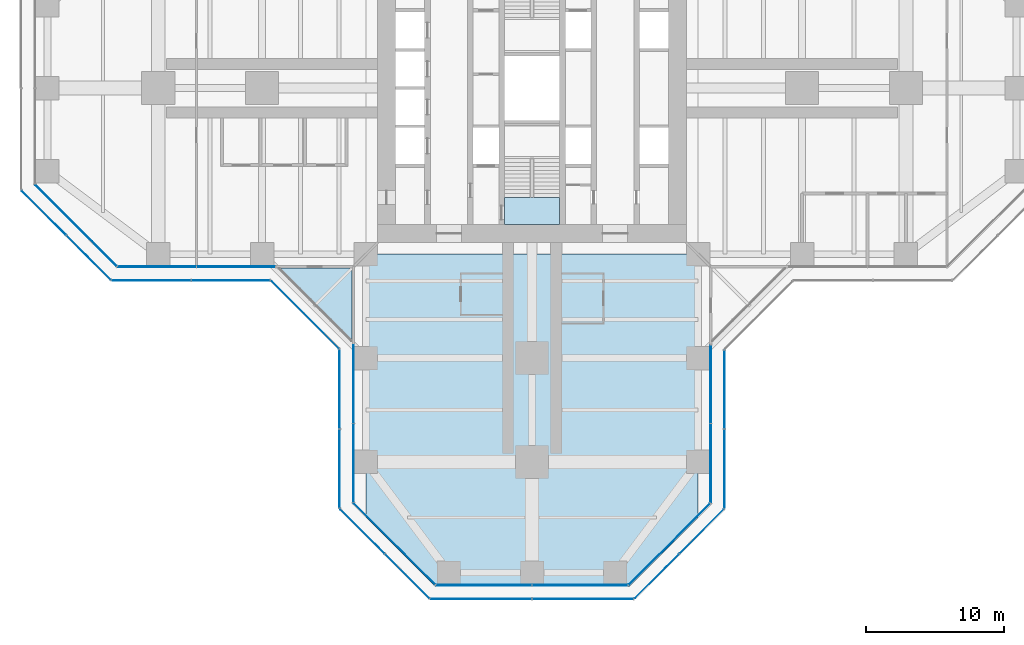
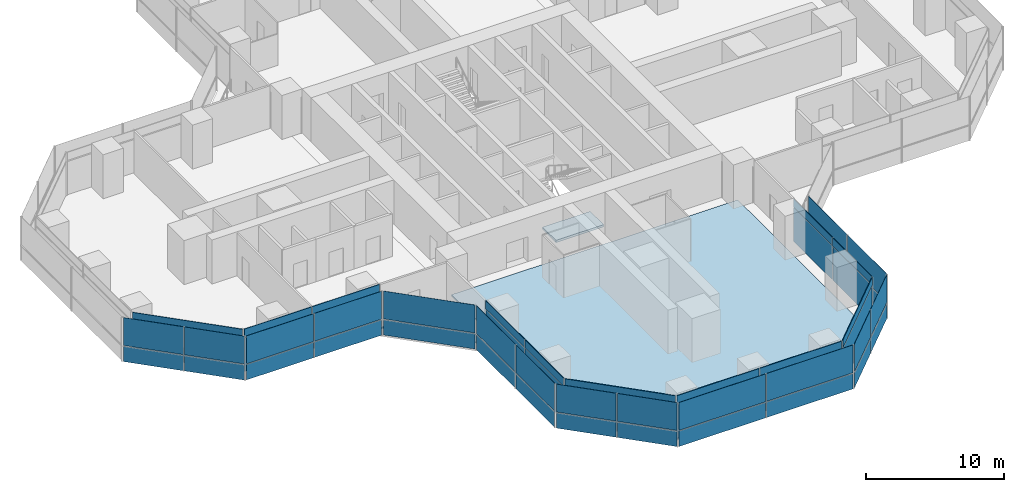
# One storey, part 14 of 22: 52 plates, 3 slabs, 16 elements without a shape of their own.
"""IFC4 building model written with IfcOpenShell, lengths in metres."""

from ifc_helpers import new_model, si_unit, direction, frame, origin, origin_2d, place, context, subcontext, project, spatial, polyline, rectangle, outline, extrude, material, layer, layer_set, type_object, element, aggregate, save


model = new_model("IFC4")

# Units and contexts
model_context = context("Model", 3, precision=1e-05, world=origin(), true_north=direction((0.0, 1.0)))
body_context = subcontext(model_context, "Body", "Model", "MODEL_VIEW")
ifc_project = project(units=[si_unit("LENGTHUNIT", "METRE"), si_unit("AREAUNIT", "SQUARE_METRE"), si_unit("VOLUMEUNIT", "CUBIC_METRE"), si_unit("PLANEANGLEUNIT", "RADIAN"), si_unit("MASSUNIT", "GRAM", prefix="KILO")], contexts=[model_context])

# Site, building, storey
site_placement = place(None, origin())
site = spatial("IfcSite", under=ifc_project, at=site_placement, CompositionType="ELEMENT")
building_placement = place(site_placement, origin())
building = spatial("IfcBuilding", under=site, at=building_placement, Name="Mizan Broadcast Tower", CompositionType="ELEMENT")
storey_placement = place(building_placement, frame((0.0, 0.0, 47.39990234375)))
storey = spatial("IfcBuildingStorey", under=building, at=storey_placement, Name="L08", CompositionType="ELEMENT", Elevation=47.39990234375)

# Slab
ifc_material_1 = material(Name="Concrete C32/40", Category="concrete")
ifc_layer_1 = layer(ifc_material_1, 0.1298828125)
ifc_layer_set_1 = layer_set([ifc_layer_1], Name="Concrete C32/40")
slab_type_1 = type_object("IfcSlabType", Name="COMPOSITE DECK SLAB 130", PredefinedType="FLOOR", material=ifc_layer_set_1)
slab_1_placement = place(storey_placement, frame((0.0, 0.0, -0.1298828125)))
element("IfcSlab", 1, at=slab_1_placement, inside=storey, type_object=slab_type_1, Name="Floor slab L08 south arm", PredefinedType="FLOOR", context=body_context, shape_type="SweptSolid", body=[
    extrude(outline(polyline([(7.0, -36.0), (12.0, -31.0), (12.0, -12.0), (-12.0, -12.0), (-12.0, -31.0), (-7.0, -36.0), (7.0, -36.0)])), origin(), (0.0, 0.0, 1.0), 0.1298828125),
])

# Curtain wall, plate
ifc_material_2 = material(Name="Aluminium framed glazing", Category="aluminium")
curtain_wall_type_1 = type_object("IfcCurtainWallType", Name="INNER SKIN LOW ZONE", PredefinedType="USERDEFINED", material=ifc_material_2)
curtain_wall_1_placement = place(storey_placement, origin())
curtain_wall_1 = element("IfcCurtainWall", 2, at=curtain_wall_1_placement, inside=storey, type_object=curtain_wall_type_1, Name="Inner skin low zone L08 W chamfer", ObjectType="INNER SKIN LOW ZONE", PredefinedType="USERDEFINED")
ifc_material_3 = material(Name="Double glazing, clear low-e", Category="glass")
ifc_layer_2 = layer(ifc_material_3, 0.028076171875)
ifc_layer_set_2 = layer_set([ifc_layer_2], Name="Double glazing, clear low-e")
plate_type_1 = type_object("IfcPlateType", Name="INNER SKIN GLAZING UNIT", PredefinedType="CURTAIN_PANEL", material=ifc_layer_set_2)
plate_1_placement = place(storey_placement, frame((-32.92919921875, -9.92919921875, 0.0), z_axis=(0.0, 0.0, 1.0), x_axis=(0.707106781187, -0.707106781187, 0.0)))
plate_1 = element("IfcPlate", 3, at=plate_1_placement, type_object=plate_type_1, Name="Inner skin low zone L08 W chamfer panel 1.1", PredefinedType="CURTAIN_PANEL", context=body_context, shape_type="SweptSolid", body=[
    extrude(rectangle(XDim=8.282470703125, YDim=0.028076171875, at=origin_2d()), origin(), (0.0, 0.0, 1.0), 3.0),
])

# Curtain wall, plates
curtain_wall_2_placement = place(storey_placement, origin())
curtain_wall_2 = element("IfcCurtainWall", 4, at=curtain_wall_2_placement, inside=storey, type_object=curtain_wall_type_1, Name="Inner skin low zone L08 W side", ObjectType="INNER SKIN LOW ZONE", PredefinedType="USERDEFINED")
plate_2_placement = place(storey_placement, frame((-27.078857421875, -12.89990234375, 0.0), z_axis=(0.0, 0.0, 1.0), x_axis=(1.0, 0.0, 0.0)))
plate_2 = element("IfcPlate", 5, at=plate_2_placement, type_object=plate_type_1, Name="Inner skin low zone L08 W side panel 1.1", PredefinedType="CURTAIN_PANEL", context=body_context, shape_type="SweptSolid", body=[
    extrude(rectangle(XDim=5.639404296875, YDim=0.028076171875, at=origin_2d()), origin(), (0.0, 0.0, 1.0), 3.0),
])
plate_3_placement = place(storey_placement, frame((-21.379638671875, -12.89990234375, 0.0), z_axis=(0.0, 0.0, 1.0), x_axis=(1.0, 0.0, 0.0)))
plate_3 = element("IfcPlate", 6, at=plate_3_placement, type_object=plate_type_1, Name="Inner skin low zone L08 W side panel 2.1", PredefinedType="CURTAIN_PANEL", context=body_context, shape_type="SweptSolid", body=[
    extrude(rectangle(XDim=5.639404296875, YDim=0.028076171875, at=origin_2d()), origin(), (0.0, 0.0, 1.0), 3.0),
])

curtain_wall_3_placement = place(storey_placement, origin())
curtain_wall_3 = element("IfcCurtainWall", 7, at=curtain_wall_3_placement, inside=storey, type_object=curtain_wall_type_1, Name="Inner skin low zone L08 S side", ObjectType="INNER SKIN LOW ZONE", PredefinedType="USERDEFINED")
plate_4_placement = place(storey_placement, frame((-12.89990234375, -21.379638671875, 0.0), z_axis=(0.0, 0.0, 1.0), x_axis=(0.0, -1.0, 0.0)))
plate_4 = element("IfcPlate", 8, at=plate_4_placement, type_object=plate_type_1, Name="Inner skin low zone L08 S side panel 1.1", PredefinedType="CURTAIN_PANEL", context=body_context, shape_type="SweptSolid", body=[
    extrude(rectangle(XDim=5.639404296875, YDim=0.028076171875, at=origin_2d()), origin(), (0.0, 0.0, 1.0), 3.0),
])
plate_5_placement = place(storey_placement, frame((-12.89990234375, -27.078857421875, 0.0), z_axis=(0.0, 0.0, 1.0), x_axis=(0.0, -1.0, 0.0)))
plate_5 = element("IfcPlate", 9, at=plate_5_placement, type_object=plate_type_1, Name="Inner skin low zone L08 S side panel 2.1", PredefinedType="CURTAIN_PANEL", context=body_context, shape_type="SweptSolid", body=[
    extrude(rectangle(XDim=5.639404296875, YDim=0.028076171875, at=origin_2d()), origin(), (0.0, 0.0, 1.0), 3.0),
])

# Curtain wall, plate
curtain_wall_4_placement = place(storey_placement, origin())
curtain_wall_4 = element("IfcCurtainWall", 10, at=curtain_wall_4_placement, inside=storey, type_object=curtain_wall_type_1, Name="Inner skin low zone L08 S chamfer", ObjectType="INNER SKIN LOW ZONE", PredefinedType="USERDEFINED")
plate_6_placement = place(storey_placement, frame((-9.92919921875, -32.92919921875, 0.0), z_axis=(0.0, 0.0, 1.0), x_axis=(0.707106781187, -0.707106781187, 0.0)))
plate_6 = element("IfcPlate", 11, at=plate_6_placement, type_object=plate_type_1, Name="Inner skin low zone L08 S chamfer panel 1.1", PredefinedType="CURTAIN_PANEL", context=body_context, shape_type="SweptSolid", body=[
    extrude(rectangle(XDim=8.282470703125, YDim=0.028076171875, at=origin_2d()), origin(), (0.0, 0.0, 1.0), 3.0),
])

# Curtain wall, plates
curtain_wall_5_placement = place(storey_placement, origin())
curtain_wall_5 = element("IfcCurtainWall", 12, at=curtain_wall_5_placement, inside=storey, type_object=curtain_wall_type_1, Name="Inner skin low zone L08 S end", ObjectType="INNER SKIN LOW ZONE", PredefinedType="USERDEFINED")
plate_7_placement = place(storey_placement, frame((-3.46435546875, -35.89990234375, 0.0), z_axis=(0.0, 0.0, 1.0), x_axis=(1.0, 0.0, 0.0)))
plate_7 = element("IfcPlate", 13, at=plate_7_placement, type_object=plate_type_1, Name="Inner skin low zone L08 S end panel 1.1", PredefinedType="CURTAIN_PANEL", context=body_context, shape_type="SweptSolid", body=[
    extrude(rectangle(XDim=6.86865234375, YDim=0.028076171875, at=origin_2d()), origin(), (0.0, 0.0, 1.0), 3.0),
])
plate_8_placement = place(storey_placement, frame((3.46435546875, -35.89990234375, 0.0), z_axis=(0.0, 0.0, 1.0), x_axis=(1.0, 0.0, 0.0)))
plate_8 = element("IfcPlate", 14, at=plate_8_placement, type_object=plate_type_1, Name="Inner skin low zone L08 S end panel 2.1", PredefinedType="CURTAIN_PANEL", context=body_context, shape_type="SweptSolid", body=[
    extrude(rectangle(XDim=6.86865234375, YDim=0.028076171875, at=origin_2d()), origin(), (0.0, 0.0, 1.0), 3.0),
])

# Curtain wall, plate
curtain_wall_6_placement = place(storey_placement, origin())
curtain_wall_6 = element("IfcCurtainWall", 15, at=curtain_wall_6_placement, inside=storey, type_object=curtain_wall_type_1, Name="Inner skin low zone L08 S chamfer", ObjectType="INNER SKIN LOW ZONE", PredefinedType="USERDEFINED")
plate_9_placement = place(storey_placement, frame((9.92919921875, -32.92919921875, 0.0), z_axis=(0.0, 0.0, 1.0), x_axis=(0.707106781187, 0.707106781187, 0.0)))
plate_9 = element("IfcPlate", 16, at=plate_9_placement, type_object=plate_type_1, Name="Inner skin low zone L08 S chamfer panel 1.1", PredefinedType="CURTAIN_PANEL", context=body_context, shape_type="SweptSolid", body=[
    extrude(rectangle(XDim=8.282470703125, YDim=0.028076171875, at=origin_2d()), origin(), (0.0, 0.0, 1.0), 3.0),
])

# Curtain wall, plates
curtain_wall_7_placement = place(storey_placement, origin())
curtain_wall_7 = element("IfcCurtainWall", 17, at=curtain_wall_7_placement, inside=storey, type_object=curtain_wall_type_1, Name="Inner skin low zone L08 S side", ObjectType="INNER SKIN LOW ZONE", PredefinedType="USERDEFINED")
plate_10_placement = place(storey_placement, frame((12.89990234375, -27.078857421875, 0.0), z_axis=(0.0, 0.0, 1.0), x_axis=(0.0, 1.0, 0.0)))
plate_10 = element("IfcPlate", 18, at=plate_10_placement, type_object=plate_type_1, Name="Inner skin low zone L08 S side panel 1.1", PredefinedType="CURTAIN_PANEL", context=body_context, shape_type="SweptSolid", body=[
    extrude(rectangle(XDim=5.639404296875, YDim=0.028076171875, at=origin_2d()), origin(), (0.0, 0.0, 1.0), 3.0),
])
plate_11_placement = place(storey_placement, frame((12.89990234375, -21.379638671875, 0.0), z_axis=(0.0, 0.0, 1.0), x_axis=(0.0, 1.0, 0.0)))
plate_11 = element("IfcPlate", 19, at=plate_11_placement, type_object=plate_type_1, Name="Inner skin low zone L08 S side panel 2.1", PredefinedType="CURTAIN_PANEL", context=body_context, shape_type="SweptSolid", body=[
    extrude(rectangle(XDim=5.639404296875, YDim=0.028076171875, at=origin_2d()), origin(), (0.0, 0.0, 1.0), 3.0),
])

# Plate
ifc_material_4 = material(Name="Insulated aluminium spandrel panel, pale anodised", Category="aluminium")
ifc_layer_3 = layer(ifc_material_4, 0.050048828125)
ifc_layer_set_3 = layer_set([ifc_layer_3], Name="Insulated aluminium spandrel panel, pale anodised")
plate_type_2 = type_object("IfcPlateType", Name="INNER SKIN SPANDREL PANEL", PredefinedType="CURTAIN_PANEL", material=ifc_layer_set_3)
plate_12_placement = place(storey_placement, frame((-32.92919921875, -9.92919921875, 3.06005859375), z_axis=(0.0, 0.0, 1.0), x_axis=(0.707106781187, -0.707106781187, 0.0)))
plate_12 = element("IfcPlate", 20, at=plate_12_placement, type_object=plate_type_2, Name="Inner skin low zone L08 W chamfer panel 1.2", PredefinedType="CURTAIN_PANEL", context=body_context, shape_type="SweptSolid", body=[
    extrude(rectangle(XDim=8.282470703125, YDim=0.050048828125, at=origin_2d()), origin(), (0.0, 0.0, 1.0), 0.7099609375),
])

aggregate(curtain_wall_1, [plate_1, plate_12])

plate_13_placement = place(storey_placement, frame((-27.078857421875, -12.89990234375, 3.06005859375), z_axis=(0.0, 0.0, 1.0), x_axis=(1.0, 0.0, 0.0)))
plate_13 = element("IfcPlate", 21, at=plate_13_placement, type_object=plate_type_2, Name="Inner skin low zone L08 W side panel 1.2", PredefinedType="CURTAIN_PANEL", context=body_context, shape_type="SweptSolid", body=[
    extrude(rectangle(XDim=5.639404296875, YDim=0.050048828125, at=origin_2d()), origin(), (0.0, 0.0, 1.0), 0.7099609375),
])

plate_14_placement = place(storey_placement, frame((-21.379638671875, -12.89990234375, 3.06005859375), z_axis=(0.0, 0.0, 1.0), x_axis=(1.0, 0.0, 0.0)))
plate_14 = element("IfcPlate", 22, at=plate_14_placement, type_object=plate_type_2, Name="Inner skin low zone L08 W side panel 2.2", PredefinedType="CURTAIN_PANEL", context=body_context, shape_type="SweptSolid", body=[
    extrude(rectangle(XDim=5.639404296875, YDim=0.050048828125, at=origin_2d()), origin(), (0.0, 0.0, 1.0), 0.7099609375),
])

aggregate(curtain_wall_2, [plate_2, plate_13, plate_3, plate_14])

plate_15_placement = place(storey_placement, frame((-12.89990234375, -21.379638671875, 3.06005859375), z_axis=(0.0, 0.0, 1.0), x_axis=(0.0, -1.0, 0.0)))
plate_15 = element("IfcPlate", 23, at=plate_15_placement, type_object=plate_type_2, Name="Inner skin low zone L08 S side panel 1.2", PredefinedType="CURTAIN_PANEL", context=body_context, shape_type="SweptSolid", body=[
    extrude(rectangle(XDim=5.639404296875, YDim=0.050048828125, at=origin_2d()), origin(), (0.0, 0.0, 1.0), 0.7099609375),
])

plate_16_placement = place(storey_placement, frame((-12.89990234375, -27.078857421875, 3.06005859375), z_axis=(0.0, 0.0, 1.0), x_axis=(0.0, -1.0, 0.0)))
plate_16 = element("IfcPlate", 24, at=plate_16_placement, type_object=plate_type_2, Name="Inner skin low zone L08 S side panel 2.2", PredefinedType="CURTAIN_PANEL", context=body_context, shape_type="SweptSolid", body=[
    extrude(rectangle(XDim=5.639404296875, YDim=0.050048828125, at=origin_2d()), origin(), (0.0, 0.0, 1.0), 0.7099609375),
])

aggregate(curtain_wall_3, [plate_4, plate_15, plate_5, plate_16])

plate_17_placement = place(storey_placement, frame((-9.92919921875, -32.92919921875, 3.06005859375), z_axis=(0.0, 0.0, 1.0), x_axis=(0.707106781187, -0.707106781187, 0.0)))
plate_17 = element("IfcPlate", 25, at=plate_17_placement, type_object=plate_type_2, Name="Inner skin low zone L08 S chamfer panel 1.2", PredefinedType="CURTAIN_PANEL", context=body_context, shape_type="SweptSolid", body=[
    extrude(rectangle(XDim=8.282470703125, YDim=0.050048828125, at=origin_2d()), origin(), (0.0, 0.0, 1.0), 0.7099609375),
])

aggregate(curtain_wall_4, [plate_6, plate_17])

plate_18_placement = place(storey_placement, frame((-3.46435546875, -35.89990234375, 3.06005859375), z_axis=(0.0, 0.0, 1.0), x_axis=(1.0, 0.0, 0.0)))
plate_18 = element("IfcPlate", 26, at=plate_18_placement, type_object=plate_type_2, Name="Inner skin low zone L08 S end panel 1.2", PredefinedType="CURTAIN_PANEL", context=body_context, shape_type="SweptSolid", body=[
    extrude(rectangle(XDim=6.86865234375, YDim=0.050048828125, at=origin_2d()), origin(), (0.0, 0.0, 1.0), 0.7099609375),
])

plate_19_placement = place(storey_placement, frame((3.46435546875, -35.89990234375, 3.06005859375), z_axis=(0.0, 0.0, 1.0), x_axis=(1.0, 0.0, 0.0)))
plate_19 = element("IfcPlate", 27, at=plate_19_placement, type_object=plate_type_2, Name="Inner skin low zone L08 S end panel 2.2", PredefinedType="CURTAIN_PANEL", context=body_context, shape_type="SweptSolid", body=[
    extrude(rectangle(XDim=6.86865234375, YDim=0.050048828125, at=origin_2d()), origin(), (0.0, 0.0, 1.0), 0.7099609375),
])

aggregate(curtain_wall_5, [plate_7, plate_18, plate_8, plate_19])

plate_20_placement = place(storey_placement, frame((9.92919921875, -32.92919921875, 3.06005859375), z_axis=(0.0, 0.0, 1.0), x_axis=(0.707106781187, 0.707106781187, 0.0)))
plate_20 = element("IfcPlate", 28, at=plate_20_placement, type_object=plate_type_2, Name="Inner skin low zone L08 S chamfer panel 1.2", PredefinedType="CURTAIN_PANEL", context=body_context, shape_type="SweptSolid", body=[
    extrude(rectangle(XDim=8.282470703125, YDim=0.050048828125, at=origin_2d()), origin(), (0.0, 0.0, 1.0), 0.7099609375),
])

aggregate(curtain_wall_6, [plate_9, plate_20])

plate_21_placement = place(storey_placement, frame((12.89990234375, -27.078857421875, 3.06005859375), z_axis=(0.0, 0.0, 1.0), x_axis=(0.0, 1.0, 0.0)))
plate_21 = element("IfcPlate", 29, at=plate_21_placement, type_object=plate_type_2, Name="Inner skin low zone L08 S side panel 1.2", PredefinedType="CURTAIN_PANEL", context=body_context, shape_type="SweptSolid", body=[
    extrude(rectangle(XDim=5.639404296875, YDim=0.050048828125, at=origin_2d()), origin(), (0.0, 0.0, 1.0), 0.7099609375),
])

plate_22_placement = place(storey_placement, frame((12.89990234375, -21.379638671875, 3.06005859375), z_axis=(0.0, 0.0, 1.0), x_axis=(0.0, 1.0, 0.0)))
plate_22 = element("IfcPlate", 30, at=plate_22_placement, type_object=plate_type_2, Name="Inner skin low zone L08 S side panel 2.2", PredefinedType="CURTAIN_PANEL", context=body_context, shape_type="SweptSolid", body=[
    extrude(rectangle(XDim=5.639404296875, YDim=0.050048828125, at=origin_2d()), origin(), (0.0, 0.0, 1.0), 0.7099609375),
])

aggregate(curtain_wall_7, [plate_10, plate_21, plate_11, plate_22])

# Curtain wall, plates
ifc_material_5 = material(Name="Aluminium framed glazing", Category="aluminium")
curtain_wall_type_2 = type_object("IfcCurtainWallType", Name="OUTER SKIN", PredefinedType="USERDEFINED", material=ifc_material_5)
curtain_wall_8_placement = place(storey_placement, origin())
curtain_wall_8 = element("IfcCurtainWall", 31, at=curtain_wall_8_placement, inside=storey, type_object=curtain_wall_type_2, Name="Outer skin L08 W chamfer", ObjectType="OUTER SKIN", PredefinedType="USERDEFINED")
ifc_material_6 = material(Name="Laminated clear glass", Category="glass")
ifc_layer_4 = layer(ifc_material_6, 0.02001953125)
ifc_layer_set_4 = layer_set([ifc_layer_4], Name="Laminated clear glass")
plate_type_3 = type_object("IfcPlateType", Name="OUTER SKIN CLEAR GLASS", PredefinedType="CURTAIN_PANEL", material=ifc_layer_set_4)
plate_23_placement = place(storey_placement, frame((-35.254150390625, -9.018798828125, 0.0), z_axis=(0.0, 0.0, 1.0), x_axis=(0.707106781187, -0.707106781187, 0.0)))
plate_23 = element("IfcPlate", 32, at=plate_23_placement, type_object=plate_type_3, Name="Outer skin L08 W chamfer panel 1.1", PredefinedType="CURTAIN_PANEL", context=body_context, shape_type="SweptSolid", body=[
    extrude(rectangle(XDim=4.495361328125, YDim=0.02001953125, at=origin_2d()), origin(), (0.0, 0.0, 1.0), 1.3701171875),
])
plate_24_placement = place(storey_placement, frame((-35.254150390625, -9.018798828125, 1.43017578125), z_axis=(0.0, 0.0, 1.0), x_axis=(0.707106781187, -0.707106781187, 0.0)))
plate_24 = element("IfcPlate", 33, at=plate_24_placement, type_object=plate_type_3, Name="Outer skin L08 W chamfer panel 1.2", PredefinedType="CURTAIN_PANEL", context=body_context, shape_type="SweptSolid", body=[
    extrude(rectangle(XDim=4.495361328125, YDim=0.02001953125, at=origin_2d()), origin(), (0.0, 0.0, 1.0), 2.469970703125),
])

curtain_wall_9_placement = place(storey_placement, origin())
curtain_wall_9 = element("IfcCurtainWall", 34, at=curtain_wall_9_placement, inside=storey, type_object=curtain_wall_type_2, Name="Outer skin L08 W side", ObjectType="OUTER SKIN", PredefinedType="USERDEFINED")
plate_25_placement = place(storey_placement, frame((-27.477783203125, -13.89990234375, 0.0), z_axis=(0.0, 0.0, 1.0), x_axis=(1.0, 0.0, 0.0)))
plate_25 = element("IfcPlate", 35, at=plate_25_placement, type_object=plate_type_3, Name="Outer skin L08 W side panel 1.1", PredefinedType="CURTAIN_PANEL", context=body_context, shape_type="SweptSolid", body=[
    extrude(rectangle(XDim=5.6298828125, YDim=0.02001953125, at=origin_2d()), origin(), (0.0, 0.0, 1.0), 1.3701171875),
])
plate_26_placement = place(storey_placement, frame((-27.477783203125, -13.89990234375, 1.43017578125), z_axis=(0.0, 0.0, 1.0), x_axis=(1.0, 0.0, 0.0)))
plate_26 = element("IfcPlate", 36, at=plate_26_placement, type_object=plate_type_3, Name="Outer skin L08 W side panel 1.2", PredefinedType="CURTAIN_PANEL", context=body_context, shape_type="SweptSolid", body=[
    extrude(rectangle(XDim=5.6298828125, YDim=0.02001953125, at=origin_2d()), origin(), (0.0, 0.0, 1.0), 2.469970703125),
])

curtain_wall_10_placement = place(storey_placement, origin())
curtain_wall_10 = element("IfcCurtainWall", 37, at=curtain_wall_10_placement, inside=storey, type_object=curtain_wall_type_2, Name="Outer skin L08 W chamfer", ObjectType="OUTER SKIN", PredefinedType="USERDEFINED")
plate_27_placement = place(storey_placement, frame((-16.386474609375, -16.386474609375, 0.0), z_axis=(0.0, 0.0, 1.0), x_axis=(0.707106781187, -0.707106781187, 0.0)))
plate_27 = element("IfcPlate", 38, at=plate_27_placement, type_object=plate_type_3, Name="Outer skin L08 W chamfer panel 1.1", PredefinedType="CURTAIN_PANEL", context=body_context, shape_type="SweptSolid", body=[
    extrude(rectangle(XDim=6.87255859375, YDim=0.02001953125, at=origin_2d()), origin(), (0.0, 0.0, 1.0), 1.3701171875),
])
plate_28_placement = place(storey_placement, frame((-16.386474609375, -16.386474609375, 1.43017578125), z_axis=(0.0, 0.0, 1.0), x_axis=(0.707106781187, -0.707106781187, 0.0)))
plate_28 = element("IfcPlate", 39, at=plate_28_placement, type_object=plate_type_3, Name="Outer skin L08 W chamfer panel 1.2", PredefinedType="CURTAIN_PANEL", context=body_context, shape_type="SweptSolid", body=[
    extrude(rectangle(XDim=6.87255859375, YDim=0.02001953125, at=origin_2d()), origin(), (0.0, 0.0, 1.0), 2.469970703125),
])
aggregate(curtain_wall_10, [plate_27, plate_28])

curtain_wall_11_placement = place(storey_placement, origin())
curtain_wall_11 = element("IfcCurtainWall", 40, at=curtain_wall_11_placement, inside=storey, type_object=curtain_wall_type_2, Name="Outer skin L08 S side", ObjectType="OUTER SKIN", PredefinedType="USERDEFINED")
plate_29_placement = place(storey_placement, frame((-13.89990234375, -21.767822265625, 0.0), z_axis=(0.0, 0.0, 1.0), x_axis=(0.0, -1.0, 0.0)))
plate_29 = element("IfcPlate", 41, at=plate_29_placement, type_object=plate_type_3, Name="Outer skin L08 S side panel 1.1", PredefinedType="CURTAIN_PANEL", context=body_context, shape_type="SweptSolid", body=[
    extrude(rectangle(XDim=5.6298828125, YDim=0.02001953125, at=origin_2d()), origin(), (0.0, 0.0, 1.0), 1.3701171875),
])
plate_30_placement = place(storey_placement, frame((-13.89990234375, -21.767822265625, 1.43017578125), z_axis=(0.0, 0.0, 1.0), x_axis=(0.0, -1.0, 0.0)))
plate_30 = element("IfcPlate", 42, at=plate_30_placement, type_object=plate_type_3, Name="Outer skin L08 S side panel 1.2", PredefinedType="CURTAIN_PANEL", context=body_context, shape_type="SweptSolid", body=[
    extrude(rectangle(XDim=5.6298828125, YDim=0.02001953125, at=origin_2d()), origin(), (0.0, 0.0, 1.0), 2.469970703125),
])

curtain_wall_12_placement = place(storey_placement, origin())
curtain_wall_12 = element("IfcCurtainWall", 43, at=curtain_wall_12_placement, inside=storey, type_object=curtain_wall_type_2, Name="Outer skin L08 S chamfer", ObjectType="OUTER SKIN", PredefinedType="USERDEFINED")
plate_31_placement = place(storey_placement, frame((-12.254150390625, -32.018798828125, 0.0), z_axis=(0.0, 0.0, 1.0), x_axis=(0.707106781187, -0.707106781187, 0.0)))
plate_31 = element("IfcPlate", 44, at=plate_31_placement, type_object=plate_type_3, Name="Outer skin L08 S chamfer panel 1.1", PredefinedType="CURTAIN_PANEL", context=body_context, shape_type="SweptSolid", body=[
    extrude(rectangle(XDim=4.495361328125, YDim=0.02001953125, at=origin_2d()), origin(), (0.0, 0.0, 1.0), 1.3701171875),
])
plate_32_placement = place(storey_placement, frame((-12.254150390625, -32.018798828125, 1.43017578125), z_axis=(0.0, 0.0, 1.0), x_axis=(0.707106781187, -0.707106781187, 0.0)))
plate_32 = element("IfcPlate", 45, at=plate_32_placement, type_object=plate_type_3, Name="Outer skin L08 S chamfer panel 1.2", PredefinedType="CURTAIN_PANEL", context=body_context, shape_type="SweptSolid", body=[
    extrude(rectangle(XDim=4.495361328125, YDim=0.02001953125, at=origin_2d()), origin(), (0.0, 0.0, 1.0), 2.469970703125),
])

curtain_wall_13_placement = place(storey_placement, origin())
curtain_wall_13 = element("IfcCurtainWall", 46, at=curtain_wall_13_placement, inside=storey, type_object=curtain_wall_type_2, Name="Outer skin L08 S end", ObjectType="OUTER SKIN", PredefinedType="USERDEFINED")
plate_33_placement = place(storey_placement, frame((-3.66650390625, -36.89990234375, 0.0), z_axis=(0.0, 0.0, 1.0), x_axis=(1.0, 0.0, 0.0)))
plate_33 = element("IfcPlate", 47, at=plate_33_placement, type_object=plate_type_3, Name="Outer skin L08 S end panel 1.1", PredefinedType="CURTAIN_PANEL", context=body_context, shape_type="SweptSolid", body=[
    extrude(rectangle(XDim=7.252685546875, YDim=0.02001953125, at=origin_2d()), origin(), (0.0, 0.0, 1.0), 1.3701171875),
])
plate_34_placement = place(storey_placement, frame((-3.66650390625, -36.89990234375, 1.43017578125), z_axis=(0.0, 0.0, 1.0), x_axis=(1.0, 0.0, 0.0)))
plate_34 = element("IfcPlate", 48, at=plate_34_placement, type_object=plate_type_3, Name="Outer skin L08 S end panel 1.2", PredefinedType="CURTAIN_PANEL", context=body_context, shape_type="SweptSolid", body=[
    extrude(rectangle(XDim=7.252685546875, YDim=0.02001953125, at=origin_2d()), origin(), (0.0, 0.0, 1.0), 2.469970703125),
])

curtain_wall_14_placement = place(storey_placement, origin())
curtain_wall_14 = element("IfcCurtainWall", 49, at=curtain_wall_14_placement, inside=storey, type_object=curtain_wall_type_2, Name="Outer skin L08 S chamfer", ObjectType="OUTER SKIN", PredefinedType="USERDEFINED")
plate_35_placement = place(storey_placement, frame((9.018798828125, -35.254150390625, 0.0), z_axis=(0.0, 0.0, 1.0), x_axis=(0.707106781187, 0.707106781187, 0.0)))
plate_35 = element("IfcPlate", 50, at=plate_35_placement, type_object=plate_type_3, Name="Outer skin L08 S chamfer panel 1.1", PredefinedType="CURTAIN_PANEL", context=body_context, shape_type="SweptSolid", body=[
    extrude(rectangle(XDim=4.495361328125, YDim=0.02001953125, at=origin_2d()), origin(), (0.0, 0.0, 1.0), 1.3701171875),
])
plate_36_placement = place(storey_placement, frame((9.018798828125, -35.254150390625, 1.43017578125), z_axis=(0.0, 0.0, 1.0), x_axis=(0.707106781187, 0.707106781187, 0.0)))
plate_36 = element("IfcPlate", 51, at=plate_36_placement, type_object=plate_type_3, Name="Outer skin L08 S chamfer panel 1.2", PredefinedType="CURTAIN_PANEL", context=body_context, shape_type="SweptSolid", body=[
    extrude(rectangle(XDim=4.495361328125, YDim=0.02001953125, at=origin_2d()), origin(), (0.0, 0.0, 1.0), 2.469970703125),
])

curtain_wall_15_placement = place(storey_placement, origin())
curtain_wall_15 = element("IfcCurtainWall", 52, at=curtain_wall_15_placement, inside=storey, type_object=curtain_wall_type_2, Name="Outer skin L08 S side", ObjectType="OUTER SKIN", PredefinedType="USERDEFINED")
plate_37_placement = place(storey_placement, frame((13.89990234375, -27.477783203125, 0.0), z_axis=(0.0, 0.0, 1.0), x_axis=(0.0, 1.0, 0.0)))
plate_37 = element("IfcPlate", 53, at=plate_37_placement, type_object=plate_type_3, Name="Outer skin L08 S side panel 1.1", PredefinedType="CURTAIN_PANEL", context=body_context, shape_type="SweptSolid", body=[
    extrude(rectangle(XDim=5.6298828125, YDim=0.02001953125, at=origin_2d()), origin(), (0.0, 0.0, 1.0), 1.3701171875),
])
plate_38_placement = place(storey_placement, frame((13.89990234375, -27.477783203125, 1.43017578125), z_axis=(0.0, 0.0, 1.0), x_axis=(0.0, 1.0, 0.0)))
plate_38 = element("IfcPlate", 54, at=plate_38_placement, type_object=plate_type_3, Name="Outer skin L08 S side panel 1.2", PredefinedType="CURTAIN_PANEL", context=body_context, shape_type="SweptSolid", body=[
    extrude(rectangle(XDim=5.6298828125, YDim=0.02001953125, at=origin_2d()), origin(), (0.0, 0.0, 1.0), 2.469970703125),
])

# Plate
ifc_material_7 = material(Name="Perforated aluminium, pale anodised", Category="aluminium")
ifc_layer_5 = layer(ifc_material_7, 0.011962890625)
ifc_layer_set_5 = layer_set([ifc_layer_5], Name="Perforated aluminium, pale anodised")
plate_type_4 = type_object("IfcPlateType", Name="OUTER SKIN PERFORATED SCREEN", PredefinedType="USERDEFINED", material=ifc_layer_set_5)
plate_39_placement = place(storey_placement, frame((-32.018798828125, -12.254150390625, 0.0), z_axis=(0.0, 0.0, 1.0), x_axis=(0.707106781187, -0.707106781187, 0.0)))
plate_39 = element("IfcPlate", 55, at=plate_39_placement, type_object=plate_type_4, Name="Outer skin L08 W chamfer panel 2.1", ObjectType="SCREEN", PredefinedType="USERDEFINED", context=body_context, shape_type="SweptSolid", body=[
    extrude(rectangle(XDim=4.495361328125, YDim=0.011962890625, at=origin_2d()), origin(), (0.0, 0.0, 1.0), 1.3701171875),
])

plate_40_placement = place(storey_placement, frame((-32.018798828125, -12.254150390625, 1.43017578125), z_axis=(0.0, 0.0, 1.0), x_axis=(0.707106781187, -0.707106781187, 0.0)))
plate_40 = element("IfcPlate", 56, at=plate_40_placement, type_object=plate_type_4, Name="Outer skin L08 W chamfer panel 2.2", ObjectType="SCREEN", PredefinedType="USERDEFINED", context=body_context, shape_type="SweptSolid", body=[
    extrude(rectangle(XDim=4.495361328125, YDim=0.011962890625, at=origin_2d()), origin(), (0.0, 0.0, 1.0), 2.469970703125),
])

aggregate(curtain_wall_8, [plate_23, plate_24, plate_39, plate_40])

plate_41_placement = place(storey_placement, frame((-21.767822265625, -13.89990234375, 0.0), z_axis=(0.0, 0.0, 1.0), x_axis=(1.0, 0.0, 0.0)))
plate_41 = element("IfcPlate", 57, at=plate_41_placement, type_object=plate_type_4, Name="Outer skin L08 W side panel 2.1", ObjectType="SCREEN", PredefinedType="USERDEFINED", context=body_context, shape_type="SweptSolid", body=[
    extrude(rectangle(XDim=5.6298828125, YDim=0.011962890625, at=origin_2d()), origin(), (0.0, 0.0, 1.0), 1.3701171875),
])

plate_42_placement = place(storey_placement, frame((-21.767822265625, -13.89990234375, 1.43017578125), z_axis=(0.0, 0.0, 1.0), x_axis=(1.0, 0.0, 0.0)))
plate_42 = element("IfcPlate", 58, at=plate_42_placement, type_object=plate_type_4, Name="Outer skin L08 W side panel 2.2", ObjectType="SCREEN", PredefinedType="USERDEFINED", context=body_context, shape_type="SweptSolid", body=[
    extrude(rectangle(XDim=5.6298828125, YDim=0.011962890625, at=origin_2d()), origin(), (0.0, 0.0, 1.0), 2.469970703125),
])

aggregate(curtain_wall_9, [plate_25, plate_26, plate_41, plate_42])

plate_43_placement = place(storey_placement, frame((-13.89990234375, -27.477783203125, 0.0), z_axis=(0.0, 0.0, 1.0), x_axis=(0.0, -1.0, 0.0)))
plate_43 = element("IfcPlate", 59, at=plate_43_placement, type_object=plate_type_4, Name="Outer skin L08 S side panel 2.1", ObjectType="SCREEN", PredefinedType="USERDEFINED", context=body_context, shape_type="SweptSolid", body=[
    extrude(rectangle(XDim=5.6298828125, YDim=0.011962890625, at=origin_2d()), origin(), (0.0, 0.0, 1.0), 1.3701171875),
])

plate_44_placement = place(storey_placement, frame((-13.89990234375, -27.477783203125, 1.43017578125), z_axis=(0.0, 0.0, 1.0), x_axis=(0.0, -1.0, 0.0)))
plate_44 = element("IfcPlate", 60, at=plate_44_placement, type_object=plate_type_4, Name="Outer skin L08 S side panel 2.2", ObjectType="SCREEN", PredefinedType="USERDEFINED", context=body_context, shape_type="SweptSolid", body=[
    extrude(rectangle(XDim=5.6298828125, YDim=0.011962890625, at=origin_2d()), origin(), (0.0, 0.0, 1.0), 2.469970703125),
])

aggregate(curtain_wall_11, [plate_29, plate_30, plate_43, plate_44])

plate_45_placement = place(storey_placement, frame((-9.018798828125, -35.254150390625, 0.0), z_axis=(0.0, 0.0, 1.0), x_axis=(0.707106781187, -0.707106781187, 0.0)))
plate_45 = element("IfcPlate", 61, at=plate_45_placement, type_object=plate_type_4, Name="Outer skin L08 S chamfer panel 2.1", ObjectType="SCREEN", PredefinedType="USERDEFINED", context=body_context, shape_type="SweptSolid", body=[
    extrude(rectangle(XDim=4.495361328125, YDim=0.011962890625, at=origin_2d()), origin(), (0.0, 0.0, 1.0), 1.3701171875),
])

plate_46_placement = place(storey_placement, frame((-9.018798828125, -35.254150390625, 1.43017578125), z_axis=(0.0, 0.0, 1.0), x_axis=(0.707106781187, -0.707106781187, 0.0)))
plate_46 = element("IfcPlate", 62, at=plate_46_placement, type_object=plate_type_4, Name="Outer skin L08 S chamfer panel 2.2", ObjectType="SCREEN", PredefinedType="USERDEFINED", context=body_context, shape_type="SweptSolid", body=[
    extrude(rectangle(XDim=4.495361328125, YDim=0.011962890625, at=origin_2d()), origin(), (0.0, 0.0, 1.0), 2.469970703125),
])

aggregate(curtain_wall_12, [plate_31, plate_32, plate_45, plate_46])

plate_47_placement = place(storey_placement, frame((3.66650390625, -36.89990234375, 0.0), z_axis=(0.0, 0.0, 1.0), x_axis=(1.0, 0.0, 0.0)))
plate_47 = element("IfcPlate", 63, at=plate_47_placement, type_object=plate_type_4, Name="Outer skin L08 S end panel 2.1", ObjectType="SCREEN", PredefinedType="USERDEFINED", context=body_context, shape_type="SweptSolid", body=[
    extrude(rectangle(XDim=7.252685546875, YDim=0.011962890625, at=origin_2d()), origin(), (0.0, 0.0, 1.0), 1.3701171875),
])

plate_48_placement = place(storey_placement, frame((3.66650390625, -36.89990234375, 1.43017578125), z_axis=(0.0, 0.0, 1.0), x_axis=(1.0, 0.0, 0.0)))
plate_48 = element("IfcPlate", 64, at=plate_48_placement, type_object=plate_type_4, Name="Outer skin L08 S end panel 2.2", ObjectType="SCREEN", PredefinedType="USERDEFINED", context=body_context, shape_type="SweptSolid", body=[
    extrude(rectangle(XDim=7.252685546875, YDim=0.011962890625, at=origin_2d()), origin(), (0.0, 0.0, 1.0), 2.469970703125),
])

aggregate(curtain_wall_13, [plate_33, plate_34, plate_47, plate_48])

plate_49_placement = place(storey_placement, frame((12.254150390625, -32.018798828125, 0.0), z_axis=(0.0, 0.0, 1.0), x_axis=(0.707106781187, 0.707106781187, 0.0)))
plate_49 = element("IfcPlate", 65, at=plate_49_placement, type_object=plate_type_4, Name="Outer skin L08 S chamfer panel 2.1", ObjectType="SCREEN", PredefinedType="USERDEFINED", context=body_context, shape_type="SweptSolid", body=[
    extrude(rectangle(XDim=4.495361328125, YDim=0.011962890625, at=origin_2d()), origin(), (0.0, 0.0, 1.0), 1.3701171875),
])

plate_50_placement = place(storey_placement, frame((12.254150390625, -32.018798828125, 1.43017578125), z_axis=(0.0, 0.0, 1.0), x_axis=(0.707106781187, 0.707106781187, 0.0)))
plate_50 = element("IfcPlate", 66, at=plate_50_placement, type_object=plate_type_4, Name="Outer skin L08 S chamfer panel 2.2", ObjectType="SCREEN", PredefinedType="USERDEFINED", context=body_context, shape_type="SweptSolid", body=[
    extrude(rectangle(XDim=4.495361328125, YDim=0.011962890625, at=origin_2d()), origin(), (0.0, 0.0, 1.0), 2.469970703125),
])

aggregate(curtain_wall_14, [plate_35, plate_36, plate_49, plate_50])

plate_51_placement = place(storey_placement, frame((13.89990234375, -21.767822265625, 0.0), z_axis=(0.0, 0.0, 1.0), x_axis=(0.0, 1.0, 0.0)))
plate_51 = element("IfcPlate", 67, at=plate_51_placement, type_object=plate_type_4, Name="Outer skin L08 S side panel 2.1", ObjectType="SCREEN", PredefinedType="USERDEFINED", context=body_context, shape_type="SweptSolid", body=[
    extrude(rectangle(XDim=5.6298828125, YDim=0.011962890625, at=origin_2d()), origin(), (0.0, 0.0, 1.0), 1.3701171875),
])

plate_52_placement = place(storey_placement, frame((13.89990234375, -21.767822265625, 1.43017578125), z_axis=(0.0, 0.0, 1.0), x_axis=(0.0, 1.0, 0.0)))
plate_52 = element("IfcPlate", 68, at=plate_52_placement, type_object=plate_type_4, Name="Outer skin L08 S side panel 2.2", ObjectType="SCREEN", PredefinedType="USERDEFINED", context=body_context, shape_type="SweptSolid", body=[
    extrude(rectangle(XDim=5.6298828125, YDim=0.011962890625, at=origin_2d()), origin(), (0.0, 0.0, 1.0), 2.469970703125),
])

aggregate(curtain_wall_15, [plate_37, plate_38, plate_51, plate_52])

# Stair, slab
ifc_material_8 = material(Name="Concrete C40/50", Category="concrete")
stair_type = type_object("IfcStairType", Name="EXIT STAIR", PredefinedType="HALF_TURN_STAIR", material=ifc_material_8)
stair_placement = place(storey_placement, origin())
stair = element("IfcStair", 69, at=stair_placement, inside=storey, type_object=stair_type, Name="Stair A L08", PredefinedType="HALF_TURN_STAIR")
ifc_material_9 = material(Name="Concrete C40/50", Category="concrete")
ifc_layer_6 = layer(ifc_material_9, 0.199951171875)
ifc_layer_set_6 = layer_set([ifc_layer_6], Name="Concrete C40/50")
slab_type_2 = type_object("IfcSlabType", Name="STAIR LANDING 200", PredefinedType="LANDING", material=ifc_layer_set_6)
slab_2_placement = place(storey_placement, frame((0.0, 0.0, -0.199951171875)))
slab_2 = element("IfcSlab", 70, at=slab_2_placement, type_object=slab_type_2, Name="A landing 1", PredefinedType="LANDING", context=body_context, shape_type="SweptSolid", body=[
    extrude(outline(polyline([(-2.0, -9.85009765625), (-2.0, -7.89990234375), (2.0, -7.89990234375), (2.0, -9.85009765625), (-2.0, -9.85009765625)])), origin(), (0.0, 0.0, 1.0), 0.199951171875),
])
aggregate(stair, [slab_2])

# Slab
ifc_material_10 = material(Name="Concrete C32/40", Category="concrete")
ifc_layer_7 = layer(ifc_material_10, 0.1298828125)
ifc_layer_set_7 = layer_set([ifc_layer_7], Name="Concrete C32/40")
slab_type_3 = type_object("IfcSlabType", Name="WINTER GARDEN SLAB 130", PredefinedType="FLOOR", material=ifc_layer_set_7)
slab_3_placement = place(storey_placement, frame((0.0, 0.0, -0.1298828125)))
element("IfcSlab", 71, at=slab_3_placement, inside=storey, type_object=slab_type_3, Name="Winter garden slab L08 W", PredefinedType="FLOOR", context=body_context, shape_type="SweptSolid", body=[
    extrude(outline(polyline([(-13.0, -13.0), (-18.5, -13.0), (-13.0, -18.5), (-13.0, -13.0)])), origin(), (0.0, 0.0, 1.0), 0.1298828125),
])

save(model, "model.ifc")
